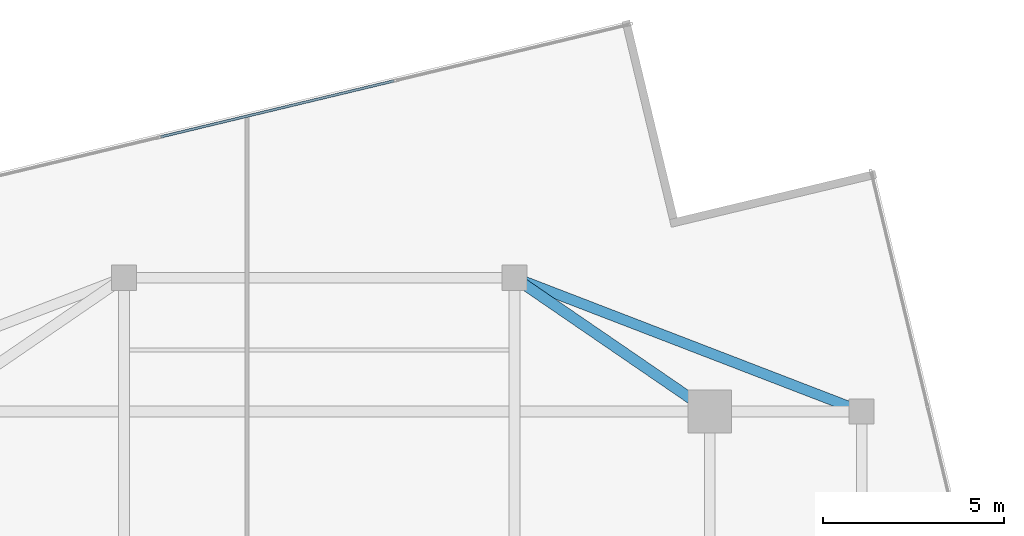
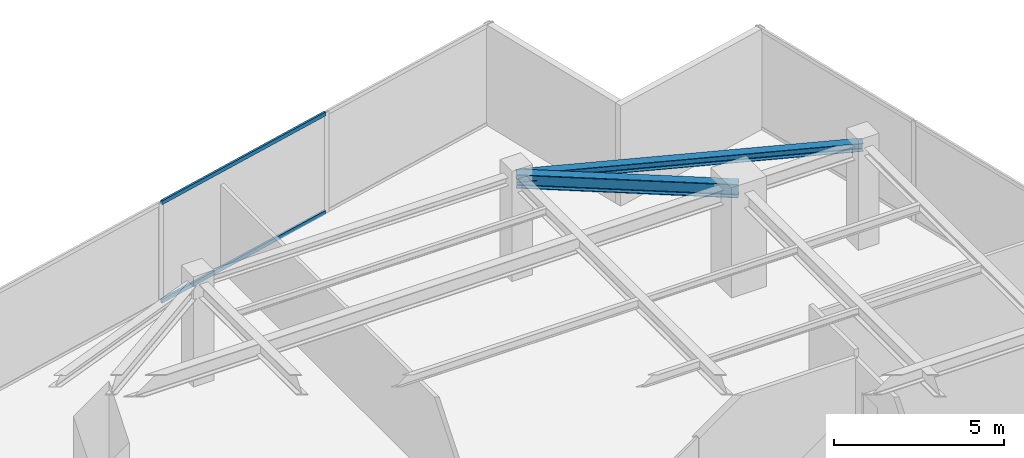
# One storey, part 15 of 22: 2 beams, 2 members, 1 element without a shape of its own.
"""IFC4 building model written with IfcOpenShell, lengths in metres."""

from ifc_helpers import new_model, si_unit, direction, frame, origin, origin_2d, place, context, subcontext, project, spatial, hollow_rectangle, i_section, extrude, source, transform, mapped, material, material_profile, profile_set, type_object, type_shapes, element, aggregate, save


model = new_model("IFC4")

# Units and contexts
model_context = context("Model", 3, precision=1e-05, world=origin(), true_north=direction((0.0, 1.0)))
body_context = subcontext(model_context, "Body", "Model", "MODEL_VIEW")
ifc_project = project(units=[si_unit("LENGTHUNIT", "METRE"), si_unit("AREAUNIT", "SQUARE_METRE"), si_unit("VOLUMEUNIT", "CUBIC_METRE"), si_unit("PLANEANGLEUNIT", "RADIAN"), si_unit("MASSUNIT", "GRAM", prefix="KILO")], contexts=[model_context])

# Site, building, storey
site_placement = place(None, origin())
site = spatial("IfcSite", under=ifc_project, at=site_placement, CompositionType="ELEMENT")
building_placement = place(site_placement, origin())
building = spatial("IfcBuilding", under=site, at=building_placement, Name="Krantzveldt Concourse Tower", CompositionType="ELEMENT")
storey_placement = place(building_placement, frame((0.0, 0.0, 359.300048828125)))
storey = spatial("IfcBuildingStorey", under=building, at=storey_placement, Name="L88", CompositionType="ELEMENT", Elevation=359.300048828125)

# Beams
ifc_material_1 = material(Name="Steel S355JR", Category="steel")
ifc_material_profile_1 = material_profile(ifc_material_1, i_section(OverallWidth=0.300048828125, OverallDepth=0.489990234375, WebThickness=0.011962890625, FlangeThickness=0.02294921875, FilletRadius=0.027099609375, at=origin_2d()), Name="Steel S355JR", Category="steel")
ifc_profile_set_1 = profile_set([ifc_material_profile_1], Name="Steel S355JR - HEA 500")
beam_type_1 = type_object("IfcBeamType", Name="BM-B-HEA500", PredefinedType="BEAM", material=ifc_profile_set_1)
shared_shape_1 = source(origin(), body_context, "Body", "SweptSolid", [
    extrude(i_section(OverallWidth=0.300048828125, OverallDepth=0.489990234375, WebThickness=0.011962890625, FlangeThickness=0.02294921875, FilletRadius=0.027099609375, at=origin_2d()), origin(), (0.0, 0.0, 1.0), 6.546142578125),
])
type_shapes(beam_type_1, [shared_shape_1])
beam_1_placement = place(storey_placement, frame((46.800048828125, 37.5, 3.35498046875), z_axis=(-0.824942999484, 0.565215930068, 0.0), x_axis=(-0.565215930068, -0.824942999484, 0.0)))
element("IfcBeam", 1, at=beam_1_placement, inside=storey, type_object=beam_type_1, Name="L88 Tower Girder BR-RR4", PredefinedType="BEAM", context=body_context, shape_type="MappedRepresentation", body=[
    mapped(shared_shape_1, transform((0.0, 0.0, 0.0), x_axis=(1.0, 0.0, 0.0), y_axis=(0.0, 1.0, 0.0), z_axis=(0.0, 0.0, 1.0), scale=1.0)),
])
ifc_material_profile_2 = material_profile(ifc_material_1, i_section(OverallWidth=0.2900390625, OverallDepth=0.2900390625, WebThickness=0.008544921875, FlangeThickness=0.013916015625, FilletRadius=0.027099609375, at=origin_2d()), Name="Steel S355JR", Category="steel")
ifc_profile_set_2 = profile_set([ifc_material_profile_2], Name="Steel S355JR - HEA 300")
beam_type_2 = type_object("IfcBeamType", Name="BM-SP-HEA300", PredefinedType="SPANDREL", material=ifc_profile_set_2)
shared_shape_2 = source(origin(), body_context, "Body", "SweptSolid", [
    extrude(i_section(OverallWidth=0.2900390625, OverallDepth=0.2900390625, WebThickness=0.008544921875, FlangeThickness=0.013916015625, FilletRadius=0.027099609375, at=origin_2d()), origin(), (0.0, 0.0, 1.0), 10.288330078125),
])
type_shapes(beam_type_2, [shared_shape_2])
beam_2_placement = place(storey_placement, frame((41.39990234375, 41.199951171875, 3.454833984375), z_axis=(0.933097690408, -0.359622997257, 0.0), x_axis=(0.359622997257, 0.933097690408, 0.0)))
element("IfcBeam", 2, at=beam_2_placement, inside=storey, type_object=beam_type_2, Name="L88 Tower Girder SP-R05", PredefinedType="SPANDREL", context=body_context, shape_type="MappedRepresentation", body=[
    mapped(shared_shape_2, transform((0.0, 0.0, 0.0), x_axis=(1.0, 0.0, 0.0), y_axis=(0.0, 1.0, 0.0), z_axis=(0.0, 0.0, 1.0), scale=1.0)),
])

# Curtain wall, members
ifc_material_2 = material(Name="Anodised aluminium 6063-T6", Category="aluminium")
curtain_wall_type = type_object("IfcCurtainWallType", Name="CW4", PredefinedType="USERDEFINED", material=ifc_material_2)
curtain_wall_placement = place(storey_placement, origin())
curtain_wall = element("IfcCurtainWall", 3, at=curtain_wall_placement, inside=storey, type_object=curtain_wall_type, Name="CW-L88-F01", ObjectType="UNITISED CURTAIN WALL", PredefinedType="USERDEFINED")
ifc_material_profile_3 = material_profile(ifc_material_2, hollow_rectangle(XDim=0.070068359375, YDim=0.139892578125, WallThickness=0.0048828125, at=origin_2d()), Name="Anodised aluminium 6063-T6", Category="aluminium")
ifc_profile_set_3 = profile_set([ifc_material_profile_3], Name="Anodised aluminium 6063-T6 - ALU-TRAN 140x70x5")
member_type = type_object("IfcMemberType", Name="CW-TRN-150", PredefinedType="USERDEFINED", material=ifc_profile_set_3)
shared_shape_3 = source(origin(), body_context, "Body", "SweptSolid", [
    extrude(hollow_rectangle(XDim=0.070068359375, YDim=0.139892578125, WallThickness=0.0048828125, at=origin_2d()), origin(), (0.0, 0.0, 1.0), 6.6298828125),
])
type_shapes(member_type, [shared_shape_3])
member_1_placement = place(storey_placement, frame((38.06640625, 46.6435546875, 0.034912109375), z_axis=(-0.972365905625, -0.233462085953, 0.0), x_axis=(0.233462085953, -0.972365905625, 0.0)))
member_1 = element("IfcMember", 4, at=member_1_placement, type_object=member_type, Name="CW-Z56 transom 2.1", ObjectType="TRANSOM", PredefinedType="USERDEFINED", context=body_context, shape_type="MappedRepresentation", body=[
    mapped(shared_shape_3, transform((0.0, 0.0, 0.0), x_axis=(1.0, 0.0, 0.0), y_axis=(0.0, 1.0, 0.0), z_axis=(0.0, 0.0, 1.0), scale=1.0)),
])
member_2_placement = place(storey_placement, frame((38.06640625, 46.6435546875, 3.56494140625), z_axis=(-0.972365905625, -0.233462085953, 0.0), x_axis=(0.233462085953, -0.972365905625, 0.0)))
member_2 = element("IfcMember", 5, at=member_2_placement, type_object=member_type, Name="CW-Z56 transom 2.2", ObjectType="TRANSOM", PredefinedType="USERDEFINED", context=body_context, shape_type="MappedRepresentation", body=[
    mapped(shared_shape_3, transform((0.0, 0.0, 0.0), x_axis=(1.0, 0.0, 0.0), y_axis=(0.0, 1.0, 0.0), z_axis=(0.0, 0.0, 1.0), scale=1.0)),
])
aggregate(curtain_wall, [member_1, member_2])

save(model, "model.ifc")
